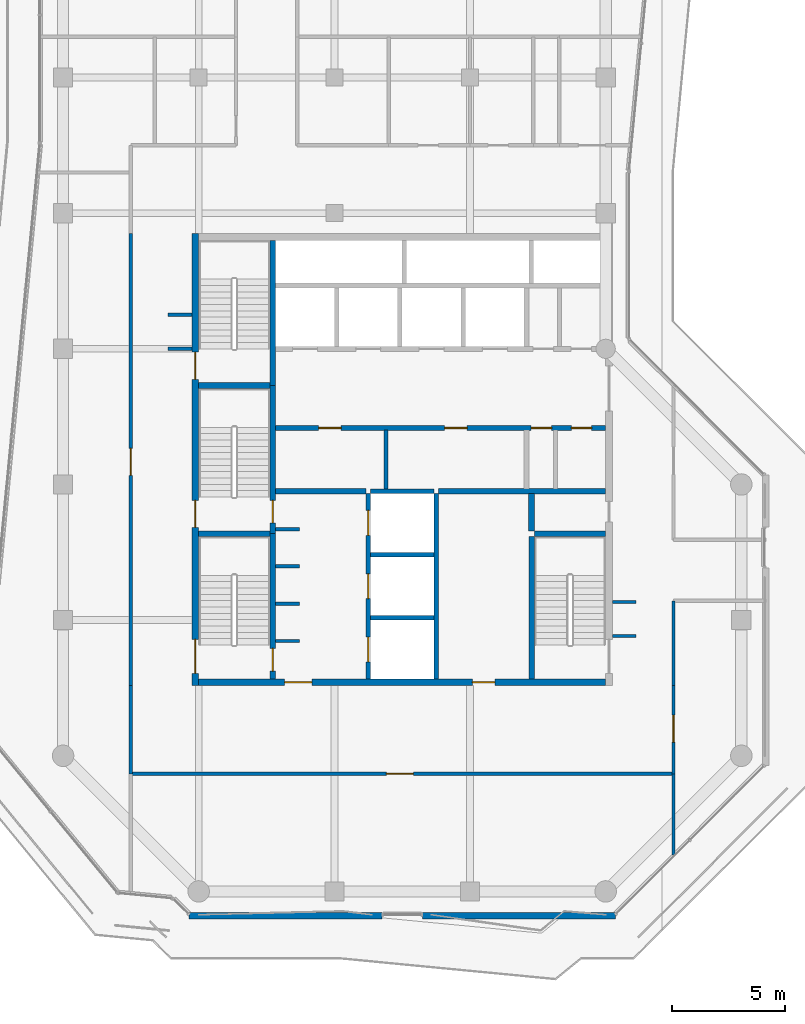
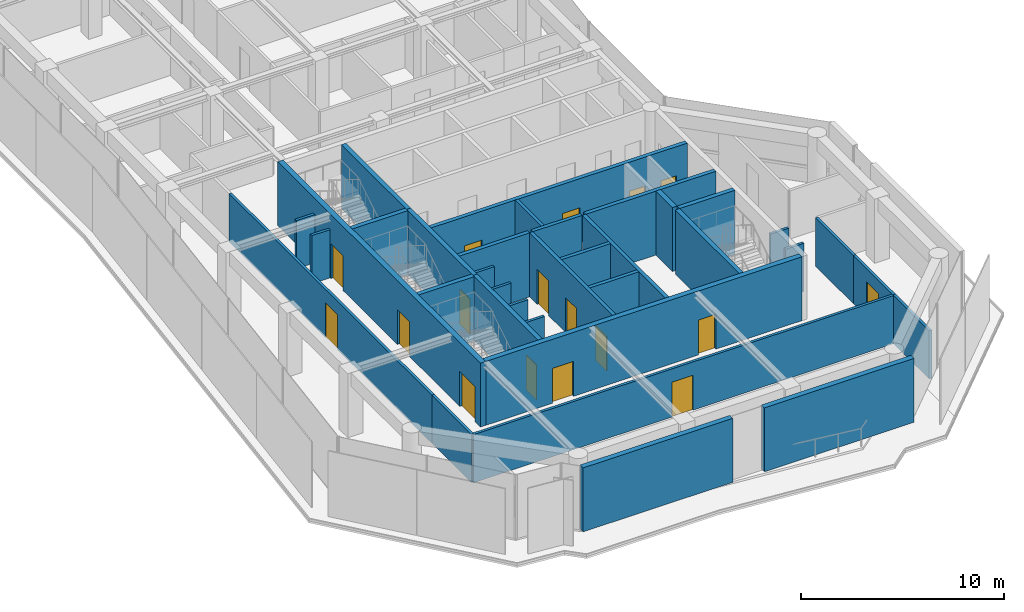
# One storey, part 21 of 25: 35 walls, 17 doors, 17 openings.
"""IFC4 building model written with IfcOpenShell, lengths in metres."""

from ifc_helpers import new_model, si_unit, direction, frame, frame_2d, origin, place, context, subcontext, project, spatial, rectangle, extrude, material, layer, layer_set, type_object, element, fill, save


model = new_model("IFC4")

# Units and contexts
model_context = context("Model", 3, precision=1e-05, world=origin(), true_north=direction((0.0, 1.0)))
body_context = subcontext(model_context, "Body", "Model", "MODEL_VIEW")
ifc_project = project(units=[si_unit("LENGTHUNIT", "METRE"), si_unit("AREAUNIT", "SQUARE_METRE"), si_unit("VOLUMEUNIT", "CUBIC_METRE"), si_unit("PLANEANGLEUNIT", "RADIAN"), si_unit("MASSUNIT", "GRAM", prefix="KILO")], contexts=[model_context])

# Site, building, storey
site_placement = place(None, origin())
site = spatial("IfcSite", under=ifc_project, at=site_placement, CompositionType="ELEMENT")
building_placement = place(site_placement, origin())
building = spatial("IfcBuilding", under=site, at=building_placement, Name="Welwitschia Terrace Campus", CompositionType="ELEMENT")
storey_placement = place(building_placement, frame((0.0, 0.0, 264.199951171875)))
storey = spatial("IfcBuildingStorey", under=building, at=storey_placement, Name="L58", CompositionType="ELEMENT", Elevation=264.199951171875)

# Walls
ifc_material_1 = material(Name="Concrete C32/40", Category="concrete")
ifc_layer_1 = layer(ifc_material_1, 0.175048828125)
ifc_layer_set_1 = layer_set([ifc_layer_1], Name="Concrete C32/40")
wall_type_1 = type_object("IfcWallType", Name="Core partition 175 Concrete C32/40", PredefinedType="PARTITIONING", material=ifc_layer_set_1)
wall_1_placement = place(storey_placement, frame((14.27490234375, 13.800048828125, 0.0), z_axis=(0.0, 0.0, 1.0), x_axis=(0.0, 1.0, 0.0)))
element("IfcWall", 1, at=wall_1_placement, inside=storey, type_object=wall_type_1, Name="Core partition", PredefinedType="PARTITIONING", context=body_context, shape_type="SweptSolid", body=[
    extrude(rectangle(XDim=2.599853515625, YDim=0.175048828125, at=frame_2d((1.2998046875, 0.0))), origin(), (0.0, 0.0, 1.0), 3.85009765625),
])
ifc_material_2 = material(Name="Concrete C32/40", Category="concrete")
ifc_layer_2 = layer(ifc_material_2, 0.22509765625)
ifc_layer_set_2 = layer_set([ifc_layer_2], Name="Concrete C32/40")
wall_type_2 = type_object("IfcWallType", Name="Core partition 225 Concrete C32/40", PredefinedType="PARTITIONING", material=ifc_layer_set_2)
wall_2_placement = place(storey_placement, frame((9.39990234375, 13.699951171875, 0.0), z_axis=(0.0, 0.0, 1.0), x_axis=(1.0, 0.0, 0.0)))
element("IfcWall", 2, at=wall_2_placement, inside=storey, type_object=wall_type_2, Name="Core partition", PredefinedType="PARTITIONING", context=body_context, shape_type="SweptSolid", body=[
    extrude(rectangle(XDim=4.0, YDim=0.22509765625, at=frame_2d((2.0, 0.0))), origin(), (0.0, 0.0, 1.0), 3.85009765625),
])
wall_3_placement = place(storey_placement, frame((16.60009765625, 13.699951171875, 0.0), z_axis=(0.0, 0.0, 1.0), x_axis=(1.0, 0.0, 0.0)))
element("IfcWall", 3, at=wall_3_placement, inside=storey, type_object=wall_type_2, Name="Core partition", PredefinedType="PARTITIONING", context=body_context, shape_type="SweptSolid", body=[
    extrude(rectangle(XDim=7.39990234375, YDim=0.22509765625, at=frame_2d((3.699951171875, 0.0))), origin(), (0.0, 0.0, 1.0), 3.85009765625),
])

# Wall, openings, doors
wall_4_placement = place(storey_placement, frame((9.39990234375, 16.5, 0.0), z_axis=(0.0, 0.0, 1.0), x_axis=(1.0, 0.0, 0.0)))
wall_4 = element("IfcWall", 4, at=wall_4_placement, inside=storey, type_object=wall_type_2, Name="Core partition", PredefinedType="PARTITIONING", context=body_context, shape_type="SweptSolid", body=[
    extrude(rectangle(XDim=14.60009765625, YDim=0.22509765625, at=frame_2d((7.300048828125, 0.0))), origin(), (0.0, 0.0, 1.0), 3.85009765625),
])
opening_1_placement = place(wall_4_placement, frame((1.89990234375, 0.0, 0.0)))
opening_1 = element("IfcOpeningElement", 5, at=opening_1_placement, cuts=wall_4, Name="Opening DR10", PredefinedType="OPENING", context=body_context, shape_type="SweptSolid", body=[
    extrude(rectangle(XDim=1.0, YDim=2.10009765625, at=frame_2d((0.5, 1.050048828125))), frame((0.0, 0.12255859375, 0.0), z_axis=(0.0, -1.0, 0.0), x_axis=(1.0, 0.0, 0.0)), (0.0, 0.0, 1.0), 0.2451171875),
])
opening_2_placement = place(wall_4_placement, frame((7.47509765625, 0.0, 0.0)))
opening_2 = element("IfcOpeningElement", 6, at=opening_2_placement, cuts=wall_4, Name="Opening DR10", PredefinedType="OPENING", context=body_context, shape_type="SweptSolid", body=[
    extrude(rectangle(XDim=1.0, YDim=2.10009765625, at=frame_2d((0.5, 1.050048828125))), frame((0.0, 0.12255859375, 0.0), z_axis=(0.0, -1.0, 0.0), x_axis=(1.0, 0.0, 0.0)), (0.0, 0.0, 1.0), 0.2451171875),
])
opening_3_placement = place(wall_4_placement, frame((11.3076171875, 0.0, 0.0)))
opening_3 = element("IfcOpeningElement", 7, at=opening_3_placement, cuts=wall_4, Name="Opening DR09", PredefinedType="OPENING", context=body_context, shape_type="SweptSolid", body=[
    extrude(rectangle(XDim=0.89990234375, YDim=2.10009765625, at=frame_2d((0.449951171875, 1.050048828125))), frame((0.0, 0.12255859375, 0.0), z_axis=(0.0, -1.0, 0.0), x_axis=(1.0, 0.0, 0.0)), (0.0, 0.0, 1.0), 0.2451171875),
])
opening_4_placement = place(wall_4_placement, frame((13.08251953125, 0.0, 0.0)))
opening_4 = element("IfcOpeningElement", 8, at=opening_4_placement, cuts=wall_4, Name="Opening DR09", PredefinedType="OPENING", context=body_context, shape_type="SweptSolid", body=[
    extrude(rectangle(XDim=0.89990234375, YDim=2.10009765625, at=frame_2d((0.449951171875, 1.050048828125))), frame((0.0, 0.12255859375, 0.0), z_axis=(0.0, -1.0, 0.0), x_axis=(1.0, 0.0, 0.0)), (0.0, 0.0, 1.0), 0.2451171875),
])
ifc_material_3 = material(Name="Steel S275", Category="steel")
door_type_1 = type_object("IfcDoorType", Name="Core door DR09", OperationType="SINGLE_SWING_LEFT", PredefinedType="DOOR", material=ifc_material_3)
door_1_placement = place(opening_3_placement, origin())
door_1 = element("IfcDoor", 9, at=door_1_placement, inside=storey, type_object=door_type_1, Name="Door EL1-D", OperationType="SINGLE_SWING_RIGHT", OverallHeight=2.10009765625, OverallWidth=0.89990234375, PredefinedType="DOOR", context=body_context, shape_type="SweptSolid", body=[
    extrude(rectangle(XDim=0.89990234375, YDim=2.10009765625, at=frame_2d((0.449951171875, 1.050048828125))), frame((0.0, 0.02490234375, 0.0), z_axis=(0.0, -1.0, 0.0), x_axis=(1.0, 0.0, 0.0)), (0.0, 0.0, 1.0), 0.050048828125),
])
fill(opening_3, door_1)
door_2_placement = place(opening_4_placement, origin())
door_2 = element("IfcDoor", 10, at=door_2_placement, inside=storey, type_object=door_type_1, Name="Door EL2-D", OperationType="SINGLE_SWING_RIGHT", OverallHeight=2.10009765625, OverallWidth=0.89990234375, PredefinedType="DOOR", context=body_context, shape_type="SweptSolid", body=[
    extrude(rectangle(XDim=0.89990234375, YDim=2.10009765625, at=frame_2d((0.449951171875, 1.050048828125))), frame((0.0, 0.02490234375, 0.0), z_axis=(0.0, -1.0, 0.0), x_axis=(1.0, 0.0, 0.0)), (0.0, 0.0, 1.0), 0.050048828125),
])
fill(opening_4, door_2)
ifc_material_4 = material(Name="Steel S275", Category="steel")
door_type_2 = type_object("IfcDoorType", Name="Core door DR10", OperationType="SINGLE_SWING_LEFT", PredefinedType="DOOR", material=ifc_material_4)
door_3_placement = place(opening_1_placement, origin())
door_3 = element("IfcDoor", 11, at=door_3_placement, inside=storey, type_object=door_type_2, Name="Door BAYL1-D", OperationType="SINGLE_SWING_LEFT", OverallHeight=2.10009765625, OverallWidth=1.0, PredefinedType="DOOR", context=body_context, shape_type="SweptSolid", body=[
    extrude(rectangle(XDim=1.0, YDim=2.10009765625, at=frame_2d((0.5, 1.050048828125))), frame((0.0, 0.02490234375, 0.0), z_axis=(0.0, -1.0, 0.0), x_axis=(1.0, 0.0, 0.0)), (0.0, 0.0, 1.0), 0.050048828125),
])
fill(opening_1, door_3)
door_4_placement = place(opening_2_placement, origin())
door_4 = element("IfcDoor", 12, at=door_4_placement, inside=storey, type_object=door_type_2, Name="Door BAYL2-D", OperationType="SINGLE_SWING_RIGHT", OverallHeight=2.10009765625, OverallWidth=1.0, PredefinedType="DOOR", context=body_context, shape_type="SweptSolid", body=[
    extrude(rectangle(XDim=1.0, YDim=2.10009765625, at=frame_2d((0.5, 1.050048828125))), frame((0.0, 0.02490234375, 0.0), z_axis=(0.0, -1.0, 0.0), x_axis=(1.0, 0.0, 0.0)), (0.0, 0.0, 1.0), 0.050048828125),
])
fill(opening_2, door_4)

# Walls
ifc_material_5 = material(Name="Concrete C32/40", Category="concrete")
ifc_layer_3 = layer(ifc_material_5, 0.27490234375)
ifc_layer_set_3 = layer_set([ifc_layer_3], Name="Concrete C32/40")
wall_type_3 = type_object("IfcWallType", Name="Core partition 275 Concrete C32/40", PredefinedType="PARTITIONING", material=ifc_layer_set_3)
wall_5_placement = place(storey_placement, frame((20.72509765625, 11.949951171875, 0.0), z_axis=(0.0, 0.0, 1.0), x_axis=(0.0, 1.0, 0.0)))
element("IfcWall", 13, at=wall_5_placement, inside=storey, type_object=wall_type_3, Name="Core partition", PredefinedType="PARTITIONING", context=body_context, shape_type="SweptSolid", body=[
    extrude(rectangle(XDim=1.650146484375, YDim=0.27490234375, at=frame_2d((0.8251953125, 0.0))), origin(), (0.0, 0.0, 1.0), 3.85009765625),
])
ifc_material_6 = material(Name="Concrete C50/60", Category="concrete")
ifc_layer_4 = layer(ifc_material_6, 0.14990234375)
ifc_layer_set_4 = layer_set([ifc_layer_4], Name="Concrete C50/60")
wall_type_4 = type_object("IfcWallType", Name="Core wall 150 Concrete C50/60", PredefinedType="SHEAR", material=ifc_layer_set_4)
for number, where, z_axis, x_axis, name in (
    (14, (9.39990234375, 7.074951171875, 0.0), (0.0, 0.0, 1.0), (1.0, 0.0, 0.0), "Core wall"),
    (15, (9.39990234375, 8.72509765625, 0.0), (0.0, 0.0, 1.0), (1.0, 0.0, 0.0), "Core wall"),
    (16, (9.39990234375, 10.375, 0.0), (0.0, 0.0, 1.0), (1.0, 0.0, 0.0), "Core wall"),
    (17, (9.39990234375, 12.02490234375, 0.0), (0.0, 0.0, 1.0), (1.0, 0.0, 0.0), "Core wall"),
):
    element("IfcWall", number, at=place(storey_placement, frame(where, z_axis=z_axis, x_axis=x_axis)), inside=storey, type_object=wall_type_4, Name=name, PredefinedType="SHEAR", context=body_context, shape_type="SweptSolid", body=[
        extrude(rectangle(XDim=1.050048828125, YDim=0.14990234375, at=frame_2d((0.52490234375, 0.0))), origin(), (0.0, 0.0, 1.0), 3.85009765625),
    ])
ifc_material_7 = material(Name="Concrete C50/60", Category="concrete")
ifc_layer_5 = layer(ifc_material_7, 0.199951171875)
ifc_layer_set_5 = layer_set([ifc_layer_5], Name="Concrete C50/60")
wall_type_5 = type_object("IfcWallType", Name="Core wall 200 Concrete C50/60", PredefinedType="SHEAR", material=ifc_layer_set_5)
for number, where, z_axis, x_axis, name in (
    (18, (13.60009765625, 8.10009765625, 0.0), (0.0, 0.0, 1.0), (1.0, 0.0, 0.0), "Core wall"),
    (19, (13.60009765625, 10.89990234375, 0.0), (0.0, 0.0, 1.0), (1.0, 0.0, 0.0), "Core wall"),
    (20, (13.60009765625, 13.699951171875, 0.0), (0.0, 0.0, 1.0), (1.0, 0.0, 0.0), "Core wall"),
):
    element("IfcWall", number, at=place(storey_placement, frame(where, z_axis=z_axis, x_axis=x_axis)), inside=storey, type_object=wall_type_5, Name=name, PredefinedType="SHEAR", context=body_context, shape_type="SweptSolid", body=[
        extrude(rectangle(XDim=2.7998046875, YDim=0.199951171875, at=frame_2d((1.39990234375, 0.0))), origin(), (0.0, 0.0, 1.0), 3.85009765625),
    ])

# Wall, openings, doors
wall_6_placement = place(storey_placement, frame((13.5, 5.39990234375, 0.0), z_axis=(0.0, 0.0, 1.0), x_axis=(0.0, 1.0, 0.0)))
wall_6 = element("IfcWall", 21, at=wall_6_placement, inside=storey, type_object=wall_type_5, Name="Core wall", PredefinedType="SHEAR", context=body_context, shape_type="SweptSolid", body=[
    extrude(rectangle(XDim=8.2001953125, YDim=0.199951171875, at=frame_2d((4.10009765625, 0.0))), origin(), (0.0, 0.0, 1.0), 3.85009765625),
])
opening_5_placement = place(wall_6_placement, frame((0.75, 0.0, 0.0)))
opening_5 = element("IfcOpeningElement", 22, at=opening_5_placement, cuts=wall_6, Name="Opening LD", PredefinedType="OPENING", context=body_context, shape_type="SweptSolid", body=[
    extrude(rectangle(XDim=1.10009765625, YDim=2.10009765625, at=frame_2d((0.550048828125, 1.050048828125))), frame((0.0, 0.10986328125, 0.0), z_axis=(0.0, -1.0, 0.0), x_axis=(1.0, 0.0, 0.0)), (0.0, 0.0, 1.0), 0.219970703125),
])
opening_6_placement = place(wall_6_placement, frame((3.550048828125, 0.0, 0.0)))
opening_6 = element("IfcOpeningElement", 23, at=opening_6_placement, cuts=wall_6, Name="Opening LD", PredefinedType="OPENING", context=body_context, shape_type="SweptSolid", body=[
    extrude(rectangle(XDim=1.10009765625, YDim=2.10009765625, at=frame_2d((0.550048828125, 1.050048828125))), frame((0.0, 0.10986328125, 0.0), z_axis=(0.0, -1.0, 0.0), x_axis=(1.0, 0.0, 0.0)), (0.0, 0.0, 1.0), 0.219970703125),
])
opening_7_placement = place(wall_6_placement, frame((6.35009765625, 0.0, 0.0)))
opening_7 = element("IfcOpeningElement", 24, at=opening_7_placement, cuts=wall_6, Name="Opening LD", PredefinedType="OPENING", context=body_context, shape_type="SweptSolid", body=[
    extrude(rectangle(XDim=1.10009765625, YDim=2.10009765625, at=frame_2d((0.550048828125, 1.050048828125))), frame((0.0, 0.10986328125, 0.0), z_axis=(0.0, -1.0, 0.0), x_axis=(1.0, 0.0, 0.0)), (0.0, 0.0, 1.0), 0.219970703125),
])
ifc_material_8 = material(Name="Stainless steel 304", Category="steel")
door_type_3 = type_object("IfcDoorType", Name="Lift landing door", OperationType="DOUBLE_DOOR_SLIDING", PredefinedType="DOOR", material=ifc_material_8)
door_5_placement = place(opening_5_placement, origin())
door_5 = element("IfcDoor", 25, at=door_5_placement, inside=storey, type_object=door_type_3, Name="Landing door FF1", OperationType="DOUBLE_DOOR_SLIDING", OverallHeight=2.10009765625, OverallWidth=1.10009765625, PredefinedType="DOOR", context=body_context, shape_type="SweptSolid", body=[
    extrude(rectangle(XDim=1.10009765625, YDim=2.10009765625, at=frame_2d((0.550048828125, 1.050048828125))), frame((0.0, 0.02490234375, 0.0), z_axis=(0.0, -1.0, 0.0), x_axis=(1.0, 0.0, 0.0)), (0.0, 0.0, 1.0), 0.050048828125),
])
fill(opening_5, door_5)
door_6_placement = place(opening_6_placement, origin())
door_6 = element("IfcDoor", 26, at=door_6_placement, inside=storey, type_object=door_type_3, Name="Landing door FF2", OperationType="DOUBLE_DOOR_SLIDING", OverallHeight=2.10009765625, OverallWidth=1.10009765625, PredefinedType="DOOR", context=body_context, shape_type="SweptSolid", body=[
    extrude(rectangle(XDim=1.10009765625, YDim=2.10009765625, at=frame_2d((0.550048828125, 1.050048828125))), frame((0.0, 0.02490234375, 0.0), z_axis=(0.0, -1.0, 0.0), x_axis=(1.0, 0.0, 0.0)), (0.0, 0.0, 1.0), 0.050048828125),
])
fill(opening_6, door_6)
door_7_placement = place(opening_7_placement, origin())
door_7 = element("IfcDoor", 27, at=door_7_placement, inside=storey, type_object=door_type_3, Name="Landing door SV1", OperationType="DOUBLE_DOOR_SLIDING", OverallHeight=2.10009765625, OverallWidth=1.10009765625, PredefinedType="DOOR", context=body_context, shape_type="SweptSolid", body=[
    extrude(rectangle(XDim=1.10009765625, YDim=2.10009765625, at=frame_2d((0.550048828125, 1.050048828125))), frame((0.0, 0.02490234375, 0.0), z_axis=(0.0, -1.0, 0.0), x_axis=(1.0, 0.0, 0.0)), (0.0, 0.0, 1.0), 0.050048828125),
])
fill(opening_7, door_7)

# Walls
wall_7_placement = place(storey_placement, frame((16.5, 5.39990234375, 0.0), z_axis=(0.0, 0.0, 1.0), x_axis=(0.0, 1.0, 0.0)))
element("IfcWall", 28, at=wall_7_placement, inside=storey, type_object=wall_type_5, Name="Core wall", PredefinedType="SHEAR", context=body_context, shape_type="SweptSolid", body=[
    extrude(rectangle(XDim=8.2001953125, YDim=0.199951171875, at=frame_2d((4.10009765625, 0.0))), origin(), (0.0, 0.0, 1.0), 3.85009765625),
])
ifc_material_9 = material(Name="Concrete C50/60", Category="concrete")
ifc_layer_6 = layer(ifc_material_9, 0.25)
ifc_layer_set_6 = layer_set([ifc_layer_6], Name="Concrete C50/60")
wall_type_6 = type_object("IfcWallType", Name="Core wall 250 Concrete C50/60", PredefinedType="SHEAR", material=ifc_layer_set_6)
for number, where, z_axis, x_axis, name in (
    (29, (6.0, 11.824951171875, 0.0), (0.0, 0.0, 1.0), (1.0, 0.0, 0.0), "Core wall"),
    (30, (20.85009765625, 11.824951171875, 0.0), (0.0, 0.0, 1.0), (1.0, 0.0, 0.0), "Core wall"),
    (31, (6.0, 18.375, 0.0), (0.0, 0.0, 1.0), (1.0, 0.0, 0.0), "Core wall"),
):
    element("IfcWall", number, at=place(storey_placement, frame(where, z_axis=z_axis, x_axis=x_axis)), inside=storey, type_object=wall_type_6, Name=name, PredefinedType="SHEAR", context=body_context, shape_type="SweptSolid", body=[
        extrude(rectangle(XDim=3.14990234375, YDim=0.25, at=frame_2d((1.574951171875, 0.0))), origin(), (0.0, 0.0, 1.0), 3.85009765625),
    ])

# Wall, opening, door
wall_8_placement = place(storey_placement, frame((9.27490234375, 11.824951171875, 0.0), z_axis=(0.0, 0.0, 1.0), x_axis=(0.0, -1.0, 0.0)))
wall_8 = element("IfcWall", 32, at=wall_8_placement, inside=storey, type_object=wall_type_6, Name="Core wall", PredefinedType="SHEAR", context=body_context, shape_type="SweptSolid", body=[
    extrude(rectangle(XDim=6.425048828125, YDim=0.25, at=frame_2d((3.21240234375, 0.0))), origin(), (0.0, 0.0, 1.0), 3.85009765625),
])
opening_8_placement = place(wall_8_placement, frame((5.074951171875, 0.0, 0.0)))
opening_8 = element("IfcOpeningElement", 33, at=opening_8_placement, cuts=wall_8, Name="Opening DS10", PredefinedType="OPENING", context=body_context, shape_type="SweptSolid", body=[
    extrude(rectangle(XDim=1.0, YDim=2.10009765625, at=frame_2d((0.5, 1.050048828125))), frame((0.0, 0.135009765625, 0.0), z_axis=(0.0, -1.0, 0.0), x_axis=(1.0, 0.0, 0.0)), (0.0, 0.0, 1.0), 0.27001953125),
])
ifc_material_10 = material(Name="Steel S275", Category="steel")
door_type_4 = type_object("IfcDoorType", Name="Core door DS10", OperationType="SINGLE_SWING_LEFT", PredefinedType="DOOR", material=ifc_material_10)
door_8_placement = place(opening_8_placement, origin())
door_8 = element("IfcDoor", 34, at=door_8_placement, inside=storey, type_object=door_type_4, Name="Door S1-FL", OperationType="SINGLE_SWING_RIGHT", OverallHeight=2.10009765625, OverallWidth=1.0, PredefinedType="DOOR", context=body_context, shape_type="SweptSolid", body=[
    extrude(rectangle(XDim=1.0, YDim=2.10009765625, at=frame_2d((0.5, 1.050048828125))), frame((0.0, 0.02490234375, 0.0), z_axis=(0.0, -1.0, 0.0), x_axis=(1.0, 0.0, 0.0)), (0.0, 0.0, 1.0), 0.050048828125),
])
fill(opening_8, door_8)

wall_9_placement = place(storey_placement, frame((9.27490234375, 18.375, 0.0), z_axis=(0.0, 0.0, 1.0), x_axis=(0.0, -1.0, 0.0)))
wall_9 = element("IfcWall", 35, at=wall_9_placement, inside=storey, type_object=wall_type_6, Name="Core wall", PredefinedType="SHEAR", context=body_context, shape_type="SweptSolid", body=[
    extrude(rectangle(XDim=6.550048828125, YDim=0.25, at=frame_2d((3.27490234375, 0.0))), origin(), (0.0, 0.0, 1.0), 3.85009765625),
])
opening_9_placement = place(wall_9_placement, frame((5.074951171875, 0.0, 0.0)))
opening_9 = element("IfcOpeningElement", 36, at=opening_9_placement, cuts=wall_9, Name="Opening DS10", PredefinedType="OPENING", context=body_context, shape_type="SweptSolid", body=[
    extrude(rectangle(XDim=1.0, YDim=2.10009765625, at=frame_2d((0.5, 1.050048828125))), frame((0.0, 0.135009765625, 0.0), z_axis=(0.0, -1.0, 0.0), x_axis=(1.0, 0.0, 0.0)), (0.0, 0.0, 1.0), 0.27001953125),
])
door_9_placement = place(opening_9_placement, origin())
door_9 = element("IfcDoor", 37, at=door_9_placement, inside=storey, type_object=door_type_4, Name="Door S3-FL", OperationType="SINGLE_SWING_RIGHT", OverallHeight=2.10009765625, OverallWidth=1.0, PredefinedType="DOOR", context=body_context, shape_type="SweptSolid", body=[
    extrude(rectangle(XDim=1.0, YDim=2.10009765625, at=frame_2d((0.5, 1.050048828125))), frame((0.0, 0.02490234375, 0.0), z_axis=(0.0, -1.0, 0.0), x_axis=(1.0, 0.0, 0.0)), (0.0, 0.0, 1.0), 0.050048828125),
])
fill(opening_9, door_9)

# Walls
wall_10_placement = place(storey_placement, frame((9.27490234375, 18.375, 0.0), z_axis=(0.0, 0.0, 1.0), x_axis=(0.0, 1.0, 0.0)))
element("IfcWall", 38, at=wall_10_placement, inside=storey, type_object=wall_type_6, Name="Core wall", PredefinedType="SHEAR", context=body_context, shape_type="SweptSolid", body=[
    extrude(rectangle(XDim=6.425048828125, YDim=0.25, at=frame_2d((3.21240234375, 0.0))), origin(), (0.0, 0.0, 1.0), 3.85009765625),
])
wall_11_placement = place(storey_placement, frame((20.72509765625, 5.39990234375, 0.0), z_axis=(0.0, 0.0, 1.0), x_axis=(0.0, 1.0, 0.0)))
element("IfcWall", 39, at=wall_11_placement, inside=storey, type_object=wall_type_6, Name="Core wall", PredefinedType="SHEAR", context=body_context, shape_type="SweptSolid", body=[
    extrude(rectangle(XDim=6.300048828125, YDim=0.25, at=frame_2d((3.14990234375, 0.0))), origin(), (0.0, 0.0, 1.0), 3.85009765625),
])

# Wall, openings, doors
ifc_material_11 = material(Name="Concrete C50/60", Category="concrete")
ifc_layer_7 = layer(ifc_material_11, 0.300048828125)
ifc_layer_set_7 = layer_set([ifc_layer_7], Name="Concrete C50/60")
wall_type_7 = type_object("IfcWallType", Name="Core wall 300 Concrete C50/60", PredefinedType="SHEAR", material=ifc_layer_set_7)
wall_12_placement = place(storey_placement, frame((5.85009765625, 5.10009765625, 0.0), z_axis=(0.0, 0.0, 1.0), x_axis=(0.0, 1.0, 0.0)))
wall_12 = element("IfcWall", 40, at=wall_12_placement, inside=storey, type_object=wall_type_7, Name="Core outer wall", PredefinedType="SHEAR", context=body_context, shape_type="SweptSolid", body=[
    extrude(rectangle(XDim=20.0, YDim=0.300048828125, at=frame_2d((10.0, 0.0))), origin(), (0.0, 0.0, 1.0), 3.85009765625),
])
opening_10_placement = place(wall_12_placement, frame((0.550048828125, 0.0, 0.0)))
opening_10 = element("IfcOpeningElement", 41, at=opening_10_placement, cuts=wall_12, Name="Opening DS15", PredefinedType="OPENING", context=body_context, shape_type="SweptSolid", body=[
    extrude(rectangle(XDim=1.5, YDim=2.10009765625, at=frame_2d((0.75, 1.050048828125))), frame((0.0, 0.159912109375, 0.0), z_axis=(0.0, -1.0, 0.0), x_axis=(1.0, 0.0, 0.0)), (0.0, 0.0, 1.0), 0.320068359375),
])
opening_11_placement = place(wall_12_placement, frame((7.0, 0.0, 0.0)))
opening_11 = element("IfcOpeningElement", 42, at=opening_11_placement, cuts=wall_12, Name="Opening DS12", PredefinedType="OPENING", context=body_context, shape_type="SweptSolid", body=[
    extrude(rectangle(XDim=1.199951171875, YDim=2.10009765625, at=frame_2d((0.60009765625, 1.050048828125))), frame((0.0, 0.159912109375, 0.0), z_axis=(0.0, -1.0, 0.0), x_axis=(1.0, 0.0, 0.0)), (0.0, 0.0, 1.0), 0.320068359375),
])
opening_12_placement = place(wall_12_placement, frame((13.550048828125, 0.0, 0.0)))
opening_12 = element("IfcOpeningElement", 43, at=opening_12_placement, cuts=wall_12, Name="Opening DS12", PredefinedType="OPENING", context=body_context, shape_type="SweptSolid", body=[
    extrude(rectangle(XDim=1.199951171875, YDim=2.10009765625, at=frame_2d((0.60009765625, 1.050048828125))), frame((0.0, 0.159912109375, 0.0), z_axis=(0.0, -1.0, 0.0), x_axis=(1.0, 0.0, 0.0)), (0.0, 0.0, 1.0), 0.320068359375),
])
ifc_material_12 = material(Name="Steel S275", Category="steel")
door_type_5 = type_object("IfcDoorType", Name="Core door DS12", OperationType="SINGLE_SWING_LEFT", PredefinedType="DOOR", material=ifc_material_12)
door_10_placement = place(opening_11_placement, origin())
door_10 = element("IfcDoor", 44, at=door_10_placement, inside=storey, type_object=door_type_5, Name="Door S3-out", OperationType="SINGLE_SWING_LEFT", OverallHeight=2.10009765625, OverallWidth=1.199951171875, PredefinedType="DOOR", context=body_context, shape_type="SweptSolid", body=[
    extrude(rectangle(XDim=1.199951171875, YDim=2.10009765625, at=frame_2d((0.60009765625, 1.050048828125))), frame((0.0, 0.02490234375, 0.0), z_axis=(0.0, -1.0, 0.0), x_axis=(1.0, 0.0, 0.0)), (0.0, 0.0, 1.0), 0.050048828125),
])
fill(opening_11, door_10)
door_11_placement = place(opening_12_placement, origin())
door_11 = element("IfcDoor", 45, at=door_11_placement, inside=storey, type_object=door_type_5, Name="Door S4-out", OperationType="SINGLE_SWING_RIGHT", OverallHeight=2.10009765625, OverallWidth=1.199951171875, PredefinedType="DOOR", context=body_context, shape_type="SweptSolid", body=[
    extrude(rectangle(XDim=1.199951171875, YDim=2.10009765625, at=frame_2d((0.60009765625, 1.050048828125))), frame((0.0, 0.02490234375, 0.0), z_axis=(0.0, -1.0, 0.0), x_axis=(1.0, 0.0, 0.0)), (0.0, 0.0, 1.0), 0.050048828125),
])
fill(opening_12, door_11)
ifc_material_13 = material(Name="Steel S275", Category="steel")
door_type_6 = type_object("IfcDoorType", Name="Core door DS15", OperationType="DOUBLE_DOOR_SINGLE_SWING", PredefinedType="DOOR", material=ifc_material_13)
door_12_placement = place(opening_10_placement, origin())
door_12 = element("IfcDoor", 46, at=door_12_placement, inside=storey, type_object=door_type_6, Name="Door S1-out", OperationType="DOUBLE_DOOR_SINGLE_SWING", OverallHeight=2.10009765625, OverallWidth=1.5, PredefinedType="DOOR", context=body_context, shape_type="SweptSolid", body=[
    extrude(rectangle(XDim=1.5, YDim=2.10009765625, at=frame_2d((0.75, 1.050048828125))), frame((0.0, 0.02490234375, 0.0), z_axis=(0.0, -1.0, 0.0), x_axis=(1.0, 0.0, 0.0)), (0.0, 0.0, 1.0), 0.050048828125),
])
fill(opening_10, door_12)

wall_13_placement = place(storey_placement, frame((24.0, 5.25, 0.0), z_axis=(0.0, 0.0, 1.0), x_axis=(-1.0, 0.0, 0.0)))
wall_13 = element("IfcWall", 47, at=wall_13_placement, inside=storey, type_object=wall_type_7, Name="Core outer wall", PredefinedType="SHEAR", context=body_context, shape_type="SweptSolid", body=[
    extrude(rectangle(XDim=18.0, YDim=0.300048828125, at=frame_2d((9.0, 0.0))), origin(), (0.0, 0.0, 1.0), 3.85009765625),
])
opening_13_placement = place(wall_13_placement, frame((13.0, 0.0, 0.0)))
opening_13 = element("IfcOpeningElement", 48, at=opening_13_placement, cuts=wall_13, Name="Opening DF12", PredefinedType="OPENING", context=body_context, shape_type="SweptSolid", body=[
    extrude(rectangle(XDim=1.199951171875, YDim=2.10009765625, at=frame_2d((0.60009765625, 1.050048828125))), frame((0.0, 0.159912109375, 0.0), z_axis=(0.0, -1.0, 0.0), x_axis=(1.0, 0.0, 0.0)), (0.0, 0.0, 1.0), 0.320068359375),
])
opening_14_placement = place(wall_13_placement, frame((4.89990234375, 0.0, 0.0)))
opening_14 = element("IfcOpeningElement", 49, at=opening_14_placement, cuts=wall_13, Name="Opening DR10", PredefinedType="OPENING", context=body_context, shape_type="SweptSolid", body=[
    extrude(rectangle(XDim=1.0, YDim=2.10009765625, at=frame_2d((0.5, 1.050048828125))), frame((0.0, 0.159912109375, 0.0), z_axis=(0.0, -1.0, 0.0), x_axis=(1.0, 0.0, 0.0)), (0.0, 0.0, 1.0), 0.320068359375),
])
ifc_material_14 = material(Name="Steel S275", Category="steel")
door_type_7 = type_object("IfcDoorType", Name="Core door DF12", OperationType="SINGLE_SWING_LEFT", PredefinedType="DOOR", material=ifc_material_14)
door_13_placement = place(opening_13_placement, origin())
door_13 = element("IfcDoor", 50, at=door_13_placement, inside=storey, type_object=door_type_7, Name="Door FL-out", OperationType="SINGLE_SWING_RIGHT", OverallHeight=2.10009765625, OverallWidth=1.199951171875, PredefinedType="DOOR", context=body_context, shape_type="SweptSolid", body=[
    extrude(rectangle(XDim=1.199951171875, YDim=2.10009765625, at=frame_2d((0.60009765625, 1.050048828125))), frame((0.0, 0.02490234375, 0.0), z_axis=(0.0, -1.0, 0.0), x_axis=(1.0, 0.0, 0.0)), (0.0, 0.0, 1.0), 0.050048828125),
])
fill(opening_13, door_13)
door_14_placement = place(opening_14_placement, origin())
door_14 = element("IfcDoor", 51, at=door_14_placement, inside=storey, type_object=door_type_2, Name="Door F1-out", OperationType="SINGLE_SWING_LEFT", OverallHeight=2.10009765625, OverallWidth=1.0, PredefinedType="DOOR", context=body_context, shape_type="SweptSolid", body=[
    extrude(rectangle(XDim=1.0, YDim=2.10009765625, at=frame_2d((0.5, 1.050048828125))), frame((0.0, 0.02490234375, 0.0), z_axis=(0.0, -1.0, 0.0), x_axis=(1.0, 0.0, 0.0)), (0.0, 0.0, 1.0), 0.050048828125),
])
fill(opening_14, door_14)

# Wall
ifc_material_15 = material(Name="Gypsum board on steel studs", Category="steel")
ifc_layer_8 = layer(ifc_material_15, 0.14990234375)
ifc_layer_set_8 = layer_set([ifc_layer_8], Name="Gypsum board on steel studs")
wall_type_8 = type_object("IfcWallType", Name="Corridor partition 150 EI 30", PredefinedType="PARTITIONING", material=ifc_layer_set_8)
wall_14_placement = place(storey_placement, frame((3.0, 1.199951171875, 0.0), z_axis=(0.0, 0.0, 1.0), x_axis=(0.0, 1.0, 0.0)))
element("IfcWall", 52, at=wall_14_placement, inside=storey, type_object=wall_type_8, Name="Partition", PredefinedType="PARTITIONING", context=body_context, shape_type="SweptSolid", body=[
    extrude(rectangle(XDim=3.900146484375, YDim=0.14990234375, at=frame_2d((1.9501953125, 0.0))), origin(), (0.0, 0.0, 1.0), 2.900146484375),
])

# Wall, opening, door
wall_15_placement = place(storey_placement, frame((3.0, 5.10009765625, 0.0), z_axis=(0.0, 0.0, 1.0), x_axis=(0.0, 1.0, 0.0)))
wall_15 = element("IfcWall", 53, at=wall_15_placement, inside=storey, type_object=wall_type_8, Name="Partition", PredefinedType="PARTITIONING", context=body_context, shape_type="SweptSolid", body=[
    extrude(rectangle(XDim=20.0, YDim=0.14990234375, at=frame_2d((10.0, 0.0))), origin(), (0.0, 0.0, 1.0), 2.900146484375),
])
opening_15_placement = place(wall_15_placement, frame((9.300048828125, 0.0, 0.0)))
opening_15 = element("IfcOpeningElement", 54, at=opening_15_placement, cuts=wall_15, Name="Opening DI12", PredefinedType="OPENING", context=body_context, shape_type="SweptSolid", body=[
    extrude(rectangle(XDim=1.199951171875, YDim=2.10009765625, at=frame_2d((0.60009765625, 1.050048828125))), frame((0.0, 0.0849609375, 0.0), z_axis=(0.0, -1.0, 0.0), x_axis=(1.0, 0.0, 0.0)), (0.0, 0.0, 1.0), 0.169921875),
])
ifc_material_16 = material(Name="Timber veneered door", Category="wood")
door_type_8 = type_object("IfcDoorType", Name="Interior door DI12", OperationType="NOTDEFINED", PredefinedType="DOOR", material=ifc_material_16)
door_15_placement = place(opening_15_placement, origin())
door_15 = element("IfcDoor", 55, at=door_15_placement, inside=storey, type_object=door_type_8, Name="Door L58 1040", OperationType="SINGLE_SWING_LEFT", OverallHeight=2.10009765625, OverallWidth=1.199951171875, PredefinedType="DOOR", context=body_context, shape_type="SweptSolid", body=[
    extrude(rectangle(XDim=1.199951171875, YDim=2.10009765625, at=frame_2d((0.60009765625, 1.050048828125))), frame((0.0, 0.02490234375, 0.0), z_axis=(0.0, -1.0, 0.0), x_axis=(1.0, 0.0, 0.0)), (0.0, 0.0, 1.0), 0.050048828125),
])
fill(opening_15, door_15)

# Walls
for number, where, z_axis, x_axis, name in (
    (56, (4.64990234375, 20.0, 0.0), (0.0, 0.0, 1.0), (1.0, 0.0, 0.0), "Partition"),
    (57, (4.64990234375, 21.5, 0.0), (0.0, 0.0, 1.0), (1.0, 0.0, 0.0), "Partition"),
    (58, (24.300048828125, 7.300048828125, 0.0), (0.0, 0.0, 1.0), (1.0, 0.0, 0.0), "Partition"),
    (59, (24.300048828125, 8.800048828125, 0.0), (0.0, 0.0, 1.0), (1.0, 0.0, 0.0), "Partition"),
):
    element("IfcWall", number, at=place(storey_placement, frame(where, z_axis=z_axis, x_axis=x_axis)), inside=storey, type_object=wall_type_8, Name=name, PredefinedType="PARTITIONING", context=body_context, shape_type="SweptSolid", body=[
        extrude(rectangle(XDim=1.050048828125, YDim=0.14990234375, at=frame_2d((0.52490234375, 0.0))), origin(), (0.0, 0.0, 1.0), 2.900146484375),
    ])
wall_16_placement = place(storey_placement, frame((27.0, -2.389892578125, 0.0), z_axis=(0.0, 0.0, 1.0), x_axis=(0.0, 1.0, 0.0)))
element("IfcWall", 60, at=wall_16_placement, inside=storey, type_object=wall_type_8, Name="Partition", PredefinedType="PARTITIONING", context=body_context, shape_type="SweptSolid", body=[
    extrude(rectangle(XDim=3.58984375, YDim=0.14990234375, at=frame_2d((1.794921875, 0.0))), origin(), (0.0, 0.0, 1.0), 2.900146484375),
])

# Wall, opening, door
wall_17_placement = place(storey_placement, frame((27.0, 1.199951171875, 0.0), z_axis=(0.0, 0.0, 1.0), x_axis=(-1.0, 0.0, 0.0)))
wall_17 = element("IfcWall", 61, at=wall_17_placement, inside=storey, type_object=wall_type_8, Name="Partition", PredefinedType="PARTITIONING", context=body_context, shape_type="SweptSolid", body=[
    extrude(rectangle(XDim=24.0, YDim=0.14990234375, at=frame_2d((12.0, 0.0))), origin(), (0.0, 0.0, 1.0), 2.900146484375),
])
opening_16_placement = place(wall_17_placement, frame((11.5, 0.0, 0.0)))
opening_16 = element("IfcOpeningElement", 62, at=opening_16_placement, cuts=wall_17, Name="Opening DI12", PredefinedType="OPENING", context=body_context, shape_type="SweptSolid", body=[
    extrude(rectangle(XDim=1.199951171875, YDim=2.10009765625, at=frame_2d((0.60009765625, 1.050048828125))), frame((0.0, 0.0849609375, 0.0), z_axis=(0.0, -1.0, 0.0), x_axis=(1.0, 0.0, 0.0)), (0.0, 0.0, 1.0), 0.169921875),
])
door_16_placement = place(opening_16_placement, origin())
door_16 = element("IfcDoor", 63, at=door_16_placement, inside=storey, type_object=door_type_8, Name="Door L58 1053", OperationType="SINGLE_SWING_RIGHT", OverallHeight=2.10009765625, OverallWidth=1.199951171875, PredefinedType="DOOR", context=body_context, shape_type="SweptSolid", body=[
    extrude(rectangle(XDim=1.199951171875, YDim=2.10009765625, at=frame_2d((0.60009765625, 1.050048828125))), frame((0.0, 0.02490234375, 0.0), z_axis=(0.0, -1.0, 0.0), x_axis=(1.0, 0.0, 0.0)), (0.0, 0.0, 1.0), 0.050048828125),
])
fill(opening_16, door_16)

wall_18_placement = place(storey_placement, frame((27.0, 1.199951171875, 0.0), z_axis=(0.0, 0.0, 1.0), x_axis=(0.0, 1.0, 0.0)))
wall_18 = element("IfcWall", 64, at=wall_18_placement, inside=storey, type_object=wall_type_8, Name="Partition", PredefinedType="PARTITIONING", context=body_context, shape_type="SweptSolid", body=[
    extrude(rectangle(XDim=3.900146484375, YDim=0.14990234375, at=frame_2d((1.9501953125, 0.0))), origin(), (0.0, 0.0, 1.0), 2.900146484375),
])
opening_17_placement = place(wall_18_placement, frame((1.39990234375, 0.0, 0.0)))
opening_17 = element("IfcOpeningElement", 65, at=opening_17_placement, cuts=wall_18, Name="Opening DI12", PredefinedType="OPENING", context=body_context, shape_type="SweptSolid", body=[
    extrude(rectangle(XDim=1.199951171875, YDim=2.10009765625, at=frame_2d((0.60009765625, 1.050048828125))), frame((0.0, 0.0849609375, 0.0), z_axis=(0.0, -1.0, 0.0), x_axis=(1.0, 0.0, 0.0)), (0.0, 0.0, 1.0), 0.169921875),
])
door_17_placement = place(opening_17_placement, origin())
door_17 = element("IfcDoor", 66, at=door_17_placement, inside=storey, type_object=door_type_8, Name="Door L58 1054", OperationType="SINGLE_SWING_LEFT", OverallHeight=2.10009765625, OverallWidth=1.199951171875, PredefinedType="DOOR", context=body_context, shape_type="SweptSolid", body=[
    extrude(rectangle(XDim=1.199951171875, YDim=2.10009765625, at=frame_2d((0.60009765625, 1.050048828125))), frame((0.0, 0.02490234375, 0.0), z_axis=(0.0, -1.0, 0.0), x_axis=(1.0, 0.0, 0.0)), (0.0, 0.0, 1.0), 0.050048828125),
])
fill(opening_17, door_17)

# Walls
wall_19_placement = place(storey_placement, frame((27.0, 5.10009765625, 0.0), z_axis=(0.0, 0.0, 1.0), x_axis=(0.0, 1.0, 0.0)))
element("IfcWall", 67, at=wall_19_placement, inside=storey, type_object=wall_type_8, Name="Partition", PredefinedType="PARTITIONING", context=body_context, shape_type="SweptSolid", body=[
    extrude(rectangle(XDim=3.75, YDim=0.14990234375, at=frame_2d((1.875, 0.0))), origin(), (0.0, 0.0, 1.0), 2.900146484375),
])
ifc_material_17 = material(Name="Concrete C40/50", Category="concrete")
ifc_layer_9 = layer(ifc_material_17, 0.300048828125)
ifc_layer_set_9 = layer_set([ifc_layer_9], Name="Concrete C40/50")
wall_type_9 = type_object("IfcWallType", Name="Mass wall 300", PredefinedType="SOLIDWALL", material=ifc_layer_set_9)
for number, where, z_axis, x_axis, name in (
    (68, (5.573486328125, -5.07958984375, 0.0), (0.0, 0.0, 1.0), (1.0, 0.0, 0.0), "Mass wall L58.5.0"),
    (69, (15.89990234375, -5.07958984375, 0.0), (0.0, 0.0, 1.0), (1.0, 0.0, 0.0), "Mass wall L58.5.1"),
):
    element("IfcWall", number, at=place(storey_placement, frame(where, z_axis=z_axis, x_axis=x_axis)), inside=storey, type_object=wall_type_9, Name=name, PredefinedType="SOLIDWALL", context=body_context, shape_type="SweptSolid", body=[
        extrude(rectangle(XDim=8.526611328125, YDim=0.300048828125, at=frame_2d((4.26318359375, 0.0))), origin(), (0.0, 0.0, 1.0), 3.85009765625),
    ])

save(model, "model.ifc")
